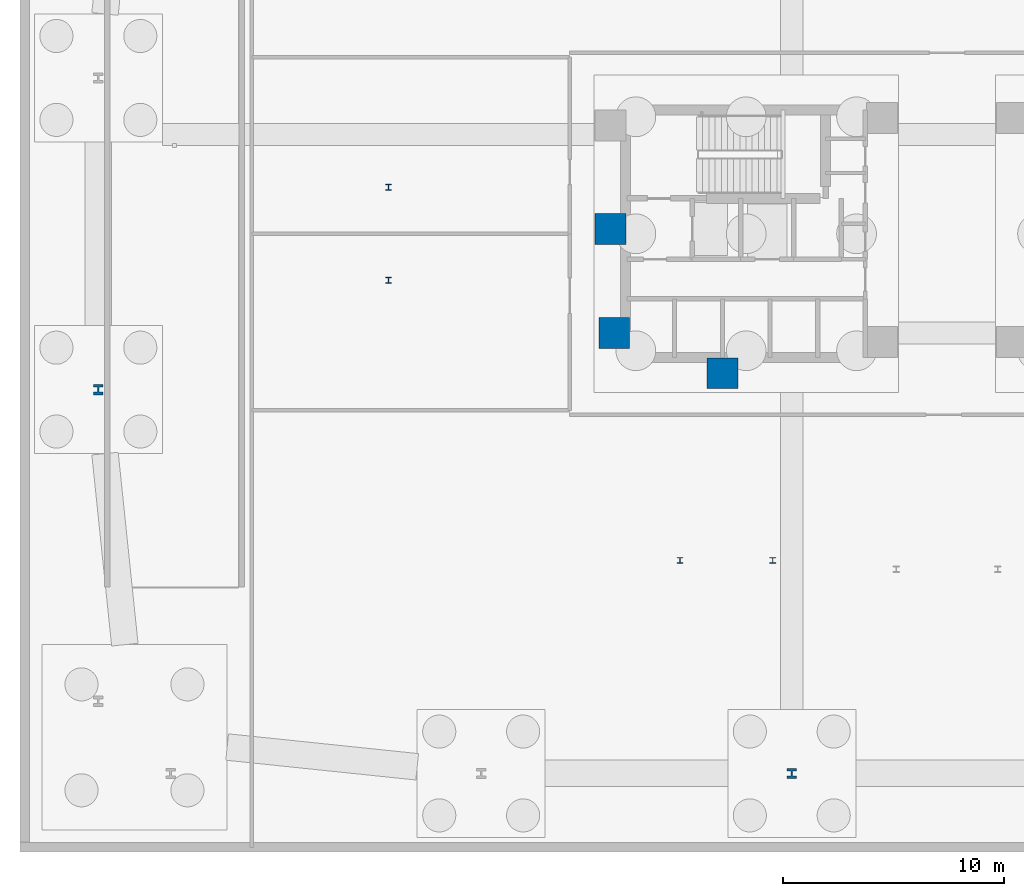
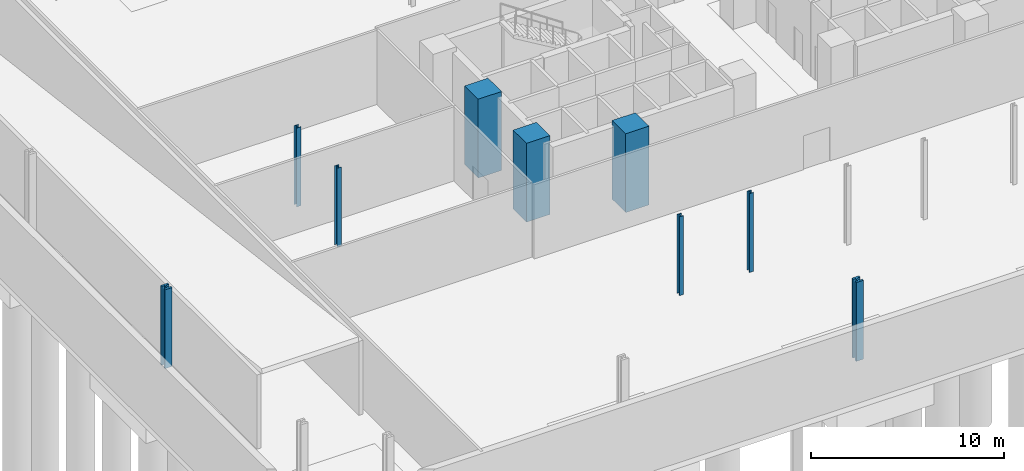
# One storey, part 2 of 16: 9 columns.
"""IFC4 building model written with IfcOpenShell, lengths in metres."""

import ifcopenshell
import ifcopenshell.guid

model = None  # the IFC model being written
_history = None  # IfcOwnerHistory: only IFC2X3 demands one
_inside = {}  # id of a spatial element -> (the spatial element, [elements in it])
_under = {}  # id of a project, library or spatial element -> (it, [spatial elements below it])
_declared = {}  # id of a project -> (the project, [libraries it declares])
_typed = {}  # id of a type object -> (the type object, [elements of that type])
_made_of = {}  # id of a material, layer set ... -> (it, [elements and type objects made of it])


def new_model(schema):
    """Start an empty IFC model of exactly this schema.

    Asked for "IFC4X3", IfcOpenShell would pick the latest addendum, in which some entities
    have other attributes; the version numbers below select the first issue.
    IFC2X3 requires an IfcOwnerHistory on every rooted entity: one is made here for all.
    """
    global model, _history
    if schema == "IFC4X3":
        model = ifcopenshell.file(schema_version=(4, 3, 0, 0))
    else:
        model = ifcopenshell.file(schema=schema)
    _inside.clear()
    _under.clear()
    _declared.clear()
    _typed.clear()
    _made_of.clear()
    _history = None
    if model.schema == "IFC2X3":
        org = make("IfcOrganization", Name="unknown")
        user = make(
            "IfcPersonAndOrganization",
            ThePerson=make("IfcPerson", FamilyName="unknown"),
            TheOrganization=org,
        )
        app = make(
            "IfcApplication",
            ApplicationDeveloper=org,
            Version="unknown",
            ApplicationFullName="unknown",
            ApplicationIdentifier="unknown",
        )
        _history = make(
            "IfcOwnerHistory",
            OwningUser=user,
            OwningApplication=app,
            ChangeAction="ADDED",
            CreationDate=0,
        )
    return model


def make(cls, **values):
    """One entity of the class cls with the attributes given. An attribute that is None is left unset."""
    return model.create_entity(
        cls, **{name: value for name, value in values.items() if value is not None}
    )


def rooted(cls, **values):
    """An entity with a GlobalId (a new one), such as an element, a storey or a relation."""
    return make(cls, GlobalId=ifcopenshell.guid.new(), OwnerHistory=_history, **values)


def si_unit(unit_type, name, prefix=None):
    """IfcSIUnit, for example si_unit("LENGTHUNIT", "METRE", prefix="MILLI")."""
    return make("IfcSIUnit", UnitType=unit_type, Prefix=prefix, Name=name)


def assignment(units):
    """IfcUnitAssignment: the units of a project."""
    return None if units is None else make("IfcUnitAssignment", Units=units)


def point(xyz):
    """IfcCartesianPoint."""
    return None if xyz is None else make("IfcCartesianPoint", Coordinates=xyz)


def direction(xyz):
    """IfcDirection."""
    return None if xyz is None else make("IfcDirection", DirectionRatios=xyz)


def frame(location, z_axis=None, x_axis=None):
    """IfcAxis2Placement3D, a coordinate frame: its origin and axes. An axis left out is left unset."""
    return make(
        "IfcAxis2Placement3D",
        Location=point(location),
        Axis=direction(z_axis),
        RefDirection=direction(x_axis),
    )


def frame_2d(location, x_axis=None):
    """IfcAxis2Placement2D, a coordinate frame in the plane: its origin and x axis."""
    return make(
        "IfcAxis2Placement2D", Location=point(location), RefDirection=direction(x_axis)
    )


def origin():
    """The frame at (0, 0, 0) with its axes left unset."""
    return frame((0.0, 0.0, 0.0))


def origin_2d():
    """The frame at (0, 0) in the plane with its x axis left unset."""
    return frame_2d((0.0, 0.0))


def place(relative_to, where):
    """IfcLocalPlacement: puts the frame where relative to a parent placement (None: the world)."""
    return make(
        "IfcLocalPlacement", PlacementRelTo=relative_to, RelativePlacement=where
    )


def context(
    kind, dimensions, precision=None, world=None, true_north=None, identifier=None
):
    """IfcGeometricRepresentationContext, for example the 3D "Model" context."""
    return make(
        "IfcGeometricRepresentationContext",
        ContextIdentifier=identifier,
        ContextType=kind,
        CoordinateSpaceDimension=dimensions,
        Precision=precision,
        WorldCoordinateSystem=world,
        TrueNorth=true_north,
    )


def subcontext(parent, identifier, kind, view, scale=None):
    """IfcGeometricRepresentationSubContext, for example "Body" below "Model"."""
    return make(
        "IfcGeometricRepresentationSubContext",
        ContextIdentifier=identifier,
        ContextType=kind,
        ParentContext=parent,
        TargetScale=scale,
        TargetView=view,
    )


def project(units=None, contexts=None):
    """IfcProject with its units and contexts."""
    return rooted(
        "IfcProject",
        Name="project",
        RepresentationContexts=contexts,
        UnitsInContext=assignment(units),
    )


def spatial(cls, under=None, at=None, **own):
    """A site, building, storey or space (cls), placed at a placement, below another one or the project."""
    s = rooted(cls, ObjectPlacement=at, **own)
    if under is not None:
        _under.setdefault(under.id(), (under, []))[1].append(s)
    return s


def profile(cls, at=None, kind="AREA", **sizes):
    """A parametric profile (cls). Its sizes go by their IFC names, for example OverallWidth=200.0."""
    return make(cls, ProfileType=kind, Position=at, **sizes)


def rectangle(**sizes):
    """IfcRectangleProfileDef."""
    return profile("IfcRectangleProfileDef", **sizes)


def i_section(**sizes):
    """IfcIShapeProfileDef."""
    return profile("IfcIShapeProfileDef", **sizes)


def extrude(swept, where, along, depth):
    """IfcExtrudedAreaSolid: the profile swept, set in the frame where, extruded along a direction by depth."""
    return make(
        "IfcExtrudedAreaSolid",
        SweptArea=swept,
        Position=where,
        ExtrudedDirection=direction(along),
        Depth=depth,
    )


def shape(context_of_items, identifier, shape_type, items):
    """IfcShapeRepresentation: the items that make up one representation, for example the "Body"."""
    return make(
        "IfcShapeRepresentation",
        ContextOfItems=context_of_items,
        RepresentationIdentifier=identifier,
        RepresentationType=shape_type,
        Items=items,
    )


def material(Name=None, Category=None):
    """IfcMaterial."""
    return make("IfcMaterial", Name=Name, Category=Category)


def material_profile(
    of_material, cross_section, Name=None, Category=None, Priority=None
):
    """IfcMaterialProfile: a cross section and its material."""
    return make(
        "IfcMaterialProfile",
        Name=Name,
        Material=of_material,
        Profile=cross_section,
        Priority=Priority,
        Category=Category,
    )


def profile_set(profiles, Name=None, composite=None):
    """IfcMaterialProfileSet."""
    return make(
        "IfcMaterialProfileSet",
        Name=Name,
        MaterialProfiles=profiles,
        CompositeProfile=composite,
    )


def made_of(thing, what):
    """Note that an element or type object is made of a material, layer set ...; save() writes the relation."""
    if what is not None:
        _made_of.setdefault(what.id(), (what, []))[1].append(thing)
    return thing


def type_object(cls, material=None, **own):
    """A type object (cls), such as IfcWallType, which elements share."""
    return made_of(rooted(cls, **own), material)


def element(
    cls,
    number,
    at=None,
    inside=None,
    cuts=None,
    type_object=None,
    material=None,
    context=None,
    identifier="Body",
    shape_type=None,
    held_by="IfcProductDefinitionShape",
    body=None,
    shapes=None,
    **own,
):
    """One element of the class cls, such as IfcWall. Its Tag is "e" and its number.

    at: its placement. inside: the storey or other place that contains it. cuts: it is an
    opening in that element (IfcRelVoidsElement). A single representation is given by context,
    identifier, shape_type and body (its items); several are given by shapes. held_by: the class
    of the entity that holds the representations. save() writes the other relations.
    """
    e = rooted(cls, Tag="e%d" % number, ObjectPlacement=at, **own)
    if body is not None:
        shapes = [shape(context, identifier, shape_type, body)]
    if shapes is not None:
        e.Representation = make(held_by, Representations=shapes)
    if inside is not None:
        _inside.setdefault(inside.id(), (inside, []))[1].append(e)
    if cuts is not None:
        rooted(
            "IfcRelVoidsElement", RelatingBuildingElement=cuts, RelatedOpeningElement=e
        )
    if type_object is not None:
        _typed.setdefault(type_object.id(), (type_object, []))[1].append(e)
    return made_of(e, material)


def aggregate(whole, parts):
    """IfcRelAggregates: a whole, such as a stair, and the parts it consists of."""
    return rooted("IfcRelAggregates", RelatingObject=whole, RelatedObjects=parts)


def save(model, path):
    """Write the relations noted so far, then the file.

    IfcRelAggregates (storeys below a building ...), IfcRelContainedInSpatialStructure (elements
    in a storey), IfcRelDefinesByType, IfcRelAssociatesMaterial and IfcRelDeclares: one each for
    every whole, place, type object, material and project.
    """
    for whole, parts in _under.values():
        aggregate(whole, parts)
    for where, things in _inside.values():
        rooted(
            "IfcRelContainedInSpatialStructure",
            RelatedElements=things,
            RelatingStructure=where,
        )
    for kind, things in _typed.values():
        rooted("IfcRelDefinesByType", RelatedObjects=things, RelatingType=kind)
    for what, things in _made_of.values():
        rooted("IfcRelAssociatesMaterial", RelatedObjects=things, RelatingMaterial=what)
    for by, libraries in _declared.values():
        rooted("IfcRelDeclares", RelatingContext=by, RelatedDefinitions=libraries)
    model.write(path)


model = new_model("IFC4")

# Units and contexts
model_context = context("Model", 3, precision=1e-05, world=origin(), true_north=direction((0.0, 1.0)))
body_context = subcontext(model_context, "Body", "Model", "MODEL_VIEW")
ifc_project = project(units=[si_unit("LENGTHUNIT", "METRE"), si_unit("AREAUNIT", "SQUARE_METRE"), si_unit("VOLUMEUNIT", "CUBIC_METRE"), si_unit("PLANEANGLEUNIT", "RADIAN"), si_unit("MASSUNIT", "GRAM", prefix="KILO")], contexts=[model_context])

# Site, building, storey
site_placement = place(None, origin())
site = spatial("IfcSite", under=ifc_project, at=site_placement, CompositionType="ELEMENT")
building_placement = place(site_placement, origin())
building = spatial("IfcBuilding", under=site, at=building_placement, Name="Menara Jurai Vektor", CompositionType="ELEMENT")
storey_placement = place(building_placement, frame((0.0, 0.0, -5.0)))
storey = spatial("IfcBuildingStorey", under=building, at=storey_placement, Name="B1", CompositionType="ELEMENT", Elevation=-5.0)

# Columns
ifc_material_1 = material(Name="Steel S355", Category="steel")
ifc_material_profile_1 = material_profile(ifc_material_1, i_section(OverallWidth=0.259033203125, OverallDepth=0.26708984375, WebThickness=0.012939453125, FlangeThickness=0.02099609375, FilletRadius=0.012939453125, at=origin_2d()), Name="UKC 254x254x107")
ifc_profile_set_1 = profile_set([ifc_material_profile_1], Name="Steel S355")
column_type_1 = type_object("IfcColumnType", Name="STR-COL-CANOPY", PredefinedType="COLUMN", material=ifc_profile_set_1)
for number, where, z_axis, x_axis, name in (
    (1, (-12.10009765625, -14.800048828125, 0.0), (0.0, 0.0, 1.0), (1.0, 0.0, 0.0), "Canopy Support Sub-Column E1-1 B1"),
    (2, (-7.89990234375, -14.800048828125, 0.0), (0.0, 0.0, 1.0), (1.0, 0.0, 0.0), "Canopy Support Sub-Column E1-2 B1"),
    (3, (-25.300048828125, -2.10009765625, 0.0), (0.0, 0.0, 1.0), (1.0, 0.0, 0.0), "Canopy Support Sub-Column E5-1 B1"),
    (4, (-25.300048828125, 2.10009765625, 0.0), (0.0, 0.0, 1.0), (1.0, 0.0, 0.0), "Canopy Support Sub-Column E5-2 B1"),
):
    element("IfcColumn", number, at=place(storey_placement, frame(where, z_axis=z_axis, x_axis=x_axis)), inside=storey, type_object=column_type_1, Name=name, PredefinedType="COLUMN", context=body_context, shape_type="SweptSolid", body=[
        extrude(i_section(OverallWidth=0.259033203125, OverallDepth=0.26708984375, WebThickness=0.012939453125, FlangeThickness=0.02099609375, FilletRadius=0.012939453125, at=origin_2d()), origin(), (0.0, 0.0, 1.0), 5.0),
    ])
ifc_material_2 = material(Name="Concrete C60/75", Category="concrete")
ifc_material_profile_2 = material_profile(ifc_material_2, rectangle(XDim=1.39990234375, YDim=1.39990234375, at=origin_2d()), Name="RC 1400x1400")
ifc_profile_set_2 = profile_set([ifc_material_profile_2], Name="Concrete C60/75")
column_type_2 = type_object("IfcColumnType", Name="STR-COL-RC1400", PredefinedType="COLUMN", material=ifc_profile_set_2)
for number, where, z_axis, x_axis, name in (
    (5, (-15.25, 0.219970703125, 0.0), (0.0, 0.0, 1.0), (1.0, 0.0, 0.0), "Core Spine Column CW-WM B1"),
    (6, (-15.080078125, -4.5, 0.0), (0.0, 0.0, 1.0), (1.0, 0.0, 0.0), "Core Spine Column CW-SW B1"),
    (7, (-10.179931640625, -6.320068359375, 0.0), (0.0, 0.0, 1.0), (1.0, 0.0, 0.0), "Core Spine Column CW-SM B1"),
):
    element("IfcColumn", number, at=place(storey_placement, frame(where, z_axis=z_axis, x_axis=x_axis)), inside=storey, type_object=column_type_2, Name=name, PredefinedType="COLUMN", context=body_context, shape_type="SweptSolid", body=[
        extrude(rectangle(XDim=1.39990234375, YDim=1.39990234375, at=origin_2d()), origin(), (0.0, 0.0, 1.0), 5.0),
    ])
ifc_material_3 = material(Name="Steel S460", Category="steel")
ifc_material_profile_3 = material_profile(ifc_material_3, i_section(OverallWidth=0.427978515625, OverallDepth=0.468994140625, WebThickness=0.077880859375, FlangeThickness=0.125, FilletRadius=0.014892578125, at=origin_2d()), Name="HD 400x1086")
ifc_profile_set_3 = profile_set([ifc_material_profile_3], Name="Steel S460")
column_type_3 = type_object("IfcColumnType", Name="STR-PILOTIS-HD1086", PredefinedType="USERDEFINED", material=ifc_profile_set_3)
for number, where, z_axis, x_axis, name in (
    (8, (-7.03564453125, -24.449951171875, 0.0), (0.0, 0.0, 1.0), (1.0, 0.0, 0.0), "Open Pilotis Stilt Column PLT-S3 B1"),
    (9, (-38.449951171875, -7.059326171875, 0.0), (0.0, 0.0, 1.0), (1.0, 0.0, 0.0), "Open Pilotis Stilt Column PLT-W3 B1"),
):
    element("IfcColumn", number, at=place(storey_placement, frame(where, z_axis=z_axis, x_axis=x_axis)), inside=storey, type_object=column_type_3, Name=name, ObjectType="PILOTIS", PredefinedType="USERDEFINED", context=body_context, shape_type="SweptSolid", body=[
        extrude(i_section(OverallWidth=0.427978515625, OverallDepth=0.468994140625, WebThickness=0.077880859375, FlangeThickness=0.125, FilletRadius=0.014892578125, at=origin_2d()), origin(), (0.0, 0.0, 1.0), 5.0),
    ])

save(model, "model.ifc")
